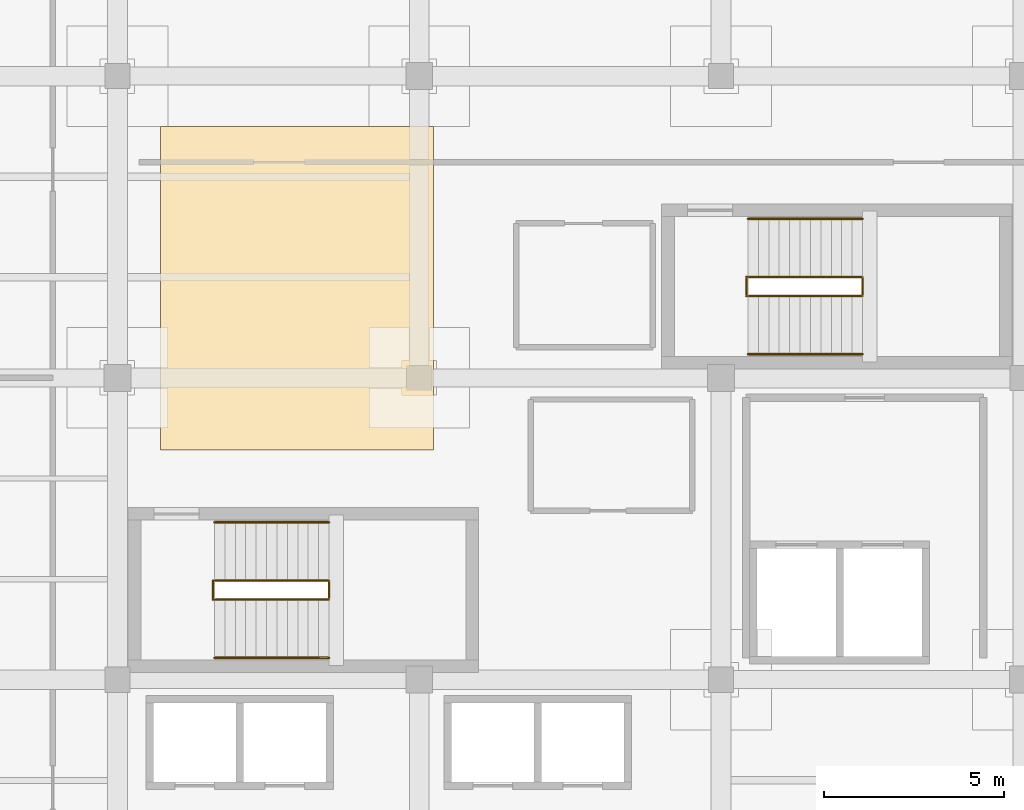
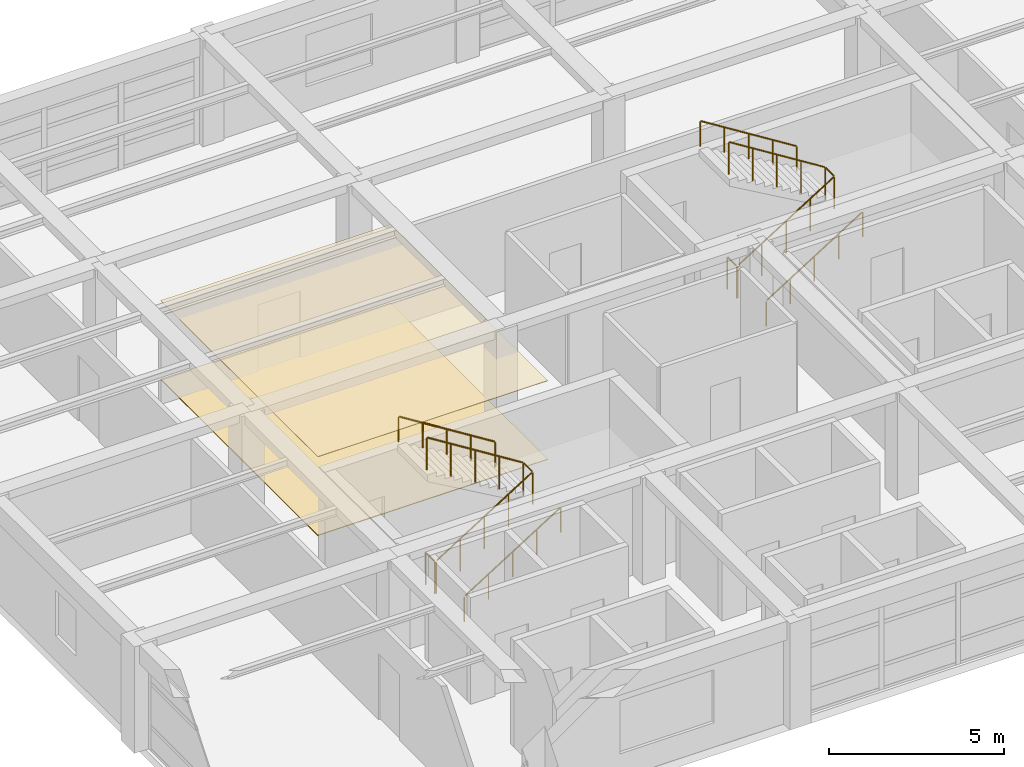
# One storey, part 26 of 26: 8 railings, 2 coverings.
"""IFC4 building model written with IfcOpenShell, lengths in metres."""

from ifc_helpers import new_model, si_unit, direction, frame, origin, origin_2d, place, context, subcontext, project, spatial, polyline, circle, outline, extrude, material, layer, layer_set, type_object, element, save


model = new_model("IFC4")

# Units and contexts
model_context = context("Model", 3, precision=1e-05, world=origin(), true_north=direction((0.0, 1.0)))
body_context = subcontext(model_context, "Body", "Model", "MODEL_VIEW")
ifc_project = project(units=[si_unit("LENGTHUNIT", "METRE"), si_unit("AREAUNIT", "SQUARE_METRE"), si_unit("VOLUMEUNIT", "CUBIC_METRE"), si_unit("PLANEANGLEUNIT", "RADIAN"), si_unit("MASSUNIT", "GRAM", prefix="KILO")], contexts=[model_context])

# Site, building, storey
site_placement = place(None, origin())
site = spatial("IfcSite", under=ifc_project, at=site_placement, CompositionType="ELEMENT")
building_placement = place(site_placement, origin())
building = spatial("IfcBuilding", under=site, at=building_placement, Name="Almacenes y Pasaje Nevantli", CompositionType="ELEMENT")
storey_placement = place(building_placement, frame((0.0, 0.0, 38.699951171875)))
storey = spatial("IfcBuildingStorey", under=building, at=storey_placement, Name="L09", CompositionType="ELEMENT", Elevation=38.699951171875)

# Coverings
ifc_material_1 = material(Name="Perforated Acoustic Mineral Fiber Ceiling", Category="gypsum")
ifc_layer_1 = layer(ifc_material_1, 0.02001953125)
ifc_layer_set_1 = layer_set([ifc_layer_1], Name="Perforated Acoustic Mineral Fiber Ceiling")
covering_type_1 = type_object("IfcCoveringType", Name="COV-CEIL-ACU", PredefinedType="CEILING", material=ifc_layer_set_1)
covering_1_placement = place(storey_placement, frame((0.0, 0.0, 2.75)))
element("IfcCovering", 1, at=covering_1_placement, inside=storey, type_object=covering_type_1, Name="L09 Suspended Acoustic Ceiling Panel", PredefinedType="CEILING", context=body_context, shape_type="SweptSolid", body=[
    extrude(outline(polyline([(118.800048828125, 82.0), (126.39990234375, 82.0), (126.39990234375, 91.0), (118.800048828125, 91.0), (118.800048828125, 82.0)])), origin(), (0.0, 0.0, 1.0), 0.02001953125),
])
ifc_material_2 = material(Name="Polished Toluca Stone Terrazzo Flooring", Category="masonry")
ifc_layer_2 = layer(ifc_material_2, 0.02490234375)
ifc_layer_set_2 = layer_set([ifc_layer_2], Name="Polished Toluca Stone Terrazzo Flooring")
covering_type_2 = type_object("IfcCoveringType", Name="COV-FLR-TERRAZZO", PredefinedType="FLOORING", material=ifc_layer_set_2)
covering_2_placement = place(storey_placement, origin())
element("IfcCovering", 2, at=covering_2_placement, inside=storey, type_object=covering_type_2, Name="L09 Polished Stone Terrazzo Floor Finish", PredefinedType="FLOORING", context=body_context, shape_type="SweptSolid", body=[
    extrude(outline(polyline([(118.800048828125, 82.0), (126.39990234375, 82.0), (126.39990234375, 91.0), (118.800048828125, 91.0), (118.800048828125, 82.0)])), origin(), (0.0, 0.0, 1.0), 0.025146484375),
])

# Railings
ifc_material_3 = material(Name="Brushed Stainless Steel and Tempered Safety Glass", Category="steel")
railing_type_1 = type_object("IfcRailingType", Name="RL-GUARD-1100", PredefinedType="BALUSTRADE", material=ifc_material_3)
railing_1_placement = place(storey_placement, frame((120.300048828125, 77.830078125, 0.0)))
element("IfcRailing", 3, at=railing_1_placement, inside=storey, type_object=railing_type_1, Name="L09 Stair ST-01 Inner Well Guard Balustrade", PredefinedType="BALUSTRADE", context=body_context, shape_type="SweptSolid", body=[
    extrude(circle(Radius=0.02392578125, at=origin_2d()), frame((0.025390625, 0.0, 1.141845703125), z_axis=(0.847247016309, 0.0, 0.531199108955), x_axis=(0.0, 1.0, 0.0)), (0.0, 0.0, 1.0), 3.705078125),
    extrude(circle(Radius=0.02392578125, at=origin_2d()), frame((3.18994140625, 0.030029296875, 3.1259765625), z_axis=(0.0, 1.0, 0.0), x_axis=(-1.0, 0.0, 0.0)), (0.0, 0.0, 1.0), 0.469970703125),
    extrude(circle(Radius=0.02392578125, at=origin_2d()), frame((3.16455078125, 0.530029296875, 3.141845703125), z_axis=(-0.847247016309, 0.0, 0.531199108955), x_axis=(0.0, -1.0, 0.0)), (0.0, 0.0, 1.0), 3.705078125),
    extrude(circle(Radius=0.02099609375, at=origin_2d()), origin(), (0.0, 0.0, 1.0), 1.096923828125),
    extrude(circle(Radius=0.02099609375, at=origin_2d()), frame((0.79736328125, 0.0, 0.5)), (0.0, 0.0, 1.0), 1.096923828125),
    extrude(circle(Radius=0.02099609375, at=origin_2d()), frame((1.594970703125, 0.0, 1.0)), (0.0, 0.0, 1.0), 1.096923828125),
    extrude(circle(Radius=0.02099609375, at=origin_2d()), frame((2.392578125, 0.0, 1.5)), (0.0, 0.0, 1.0), 1.096923828125),
    extrude(circle(Radius=0.02099609375, at=origin_2d()), frame((3.18994140625, 0.0, 2.0)), (0.0, 0.0, 1.0), 1.096923828125),
    extrude(circle(Radius=0.02099609375, at=origin_2d()), frame((3.18994140625, 0.530029296875, 2.0)), (0.0, 0.0, 1.0), 1.096923828125),
    extrude(circle(Radius=0.02099609375, at=origin_2d()), frame((2.392578125, 0.530029296875, 2.5)), (0.0, 0.0, 1.0), 1.096923828125),
    extrude(circle(Radius=0.02099609375, at=origin_2d()), frame((1.594970703125, 0.530029296875, 3.0)), (0.0, 0.0, 1.0), 1.096923828125),
    extrude(circle(Radius=0.02099609375, at=origin_2d()), frame((0.79736328125, 0.530029296875, 3.5)), (0.0, 0.0, 1.0), 1.096923828125),
    extrude(circle(Radius=0.02099609375, at=origin_2d()), frame((0.0, 0.530029296875, 4.0)), (0.0, 0.0, 1.0), 1.096923828125),
])
railing_2_placement = place(storey_placement, frame((120.260009765625, 77.830078125, 0.0)))
element("IfcRailing", 4, at=railing_2_placement, inside=storey, type_object=railing_type_1, Name="L09 Stair ST-01 Landing Well Slot Guard", PredefinedType="BALUSTRADE", context=body_context, shape_type="SweptSolid", body=[
    extrude(circle(Radius=0.02392578125, at=origin_2d()), frame((0.0, 0.030029296875, 1.1259765625), z_axis=(0.0, 1.0, 0.0), x_axis=(-1.0, 0.0, 0.0)), (0.0, 0.0, 1.0), 0.469970703125),
    extrude(circle(Radius=0.02099609375, at=origin_2d()), origin(), (0.0, 0.0, 1.0), 1.096923828125),
    extrude(circle(Radius=0.02099609375, at=origin_2d()), frame((0.0, 0.530029296875, 0.0)), (0.0, 0.0, 1.0), 1.096923828125),
])
railing_3_placement = place(storey_placement, frame((135.14990234375, 86.280029296875, 0.0)))
element("IfcRailing", 5, at=railing_3_placement, inside=storey, type_object=railing_type_1, Name="L09 Stair ST-02 Inner Well Guard Balustrade", PredefinedType="BALUSTRADE", context=body_context, shape_type="SweptSolid", body=[
    extrude(circle(Radius=0.02392578125, at=origin_2d()), frame((0.025390625, 0.0, 1.141845703125), z_axis=(0.847265311894, 0.0, 0.531169926918), x_axis=(0.0, 1.0, 0.0)), (0.0, 0.0, 1.0), 3.705322265625),
    extrude(circle(Radius=0.02392578125, at=origin_2d()), frame((3.190185546875, 0.030029296875, 3.1259765625), z_axis=(0.0, 1.0, 0.0), x_axis=(-1.0, 0.0, 0.0)), (0.0, 0.0, 1.0), 0.469970703125),
    extrude(circle(Radius=0.02392578125, at=origin_2d()), frame((3.164794921875, 0.530029296875, 3.141845703125), z_axis=(-0.847265311894, 0.0, 0.531169926918), x_axis=(0.0, -1.0, 0.0)), (0.0, 0.0, 1.0), 3.705322265625),
    extrude(circle(Radius=0.02099609375, at=origin_2d()), origin(), (0.0, 0.0, 1.0), 1.096923828125),
    extrude(circle(Radius=0.02099609375, at=origin_2d()), frame((0.797607421875, 0.0, 0.5)), (0.0, 0.0, 1.0), 1.096923828125),
    extrude(circle(Radius=0.02099609375, at=origin_2d()), frame((1.59521484375, 0.0, 1.0)), (0.0, 0.0, 1.0), 1.096923828125),
    extrude(circle(Radius=0.02099609375, at=origin_2d()), frame((2.392578125, 0.0, 1.5)), (0.0, 0.0, 1.0), 1.096923828125),
    extrude(circle(Radius=0.02099609375, at=origin_2d()), frame((3.190185546875, 0.0, 2.0)), (0.0, 0.0, 1.0), 1.096923828125),
    extrude(circle(Radius=0.02099609375, at=origin_2d()), frame((3.190185546875, 0.530029296875, 2.0)), (0.0, 0.0, 1.0), 1.096923828125),
    extrude(circle(Radius=0.02099609375, at=origin_2d()), frame((2.392578125, 0.530029296875, 2.5)), (0.0, 0.0, 1.0), 1.096923828125),
    extrude(circle(Radius=0.02099609375, at=origin_2d()), frame((1.59521484375, 0.530029296875, 3.0)), (0.0, 0.0, 1.0), 1.096923828125),
    extrude(circle(Radius=0.02099609375, at=origin_2d()), frame((0.797607421875, 0.530029296875, 3.5)), (0.0, 0.0, 1.0), 1.096923828125),
    extrude(circle(Radius=0.02099609375, at=origin_2d()), frame((0.0, 0.530029296875, 4.0)), (0.0, 0.0, 1.0), 1.096923828125),
])
railing_4_placement = place(storey_placement, frame((135.110107421875, 86.280029296875, 0.0)))
element("IfcRailing", 6, at=railing_4_placement, inside=storey, type_object=railing_type_1, Name="L09 Stair ST-02 Landing Well Slot Guard", PredefinedType="BALUSTRADE", context=body_context, shape_type="SweptSolid", body=[
    extrude(circle(Radius=0.02392578125, at=origin_2d()), frame((0.0, 0.030029296875, 1.1259765625), z_axis=(0.0, 1.0, 0.0), x_axis=(-1.0, 0.0, 0.0)), (0.0, 0.0, 1.0), 0.469970703125),
    extrude(circle(Radius=0.02099609375, at=origin_2d()), origin(), (0.0, 0.0, 1.0), 1.096923828125),
    extrude(circle(Radius=0.02099609375, at=origin_2d()), frame((0.0, 0.530029296875, 0.0)), (0.0, 0.0, 1.0), 1.096923828125),
])
ifc_material_4 = material(Name="Brushed Stainless Steel Tube", Category="steel")
railing_type_2 = type_object("IfcRailingType", Name="RL-HANDRAIL-900", PredefinedType="HANDRAIL", material=ifc_material_4)
railing_5_placement = place(storey_placement, frame((120.300048828125, 76.2099609375, 0.0)))
element("IfcRailing", 7, at=railing_5_placement, inside=storey, type_object=railing_type_2, Name="L09 Stair ST-01 Lower Flight Handrail", PredefinedType="HANDRAIL", context=body_context, shape_type="SweptSolid", body=[
    extrude(circle(Radius=0.02392578125, at=origin_2d()), frame((0.025390625, 0.0, 0.891845703125), z_axis=(0.847247016309, 0.0, 0.531199108955), x_axis=(0.0, 1.0, 0.0)), (0.0, 0.0, 1.0), 3.705078125),
    extrude(circle(Radius=0.02099609375, at=origin_2d()), origin(), (0.0, 0.0, 1.0), 0.846923828125),
    extrude(circle(Radius=0.02099609375, at=origin_2d()), frame((0.79736328125, 0.0, 0.5)), (0.0, 0.0, 1.0), 0.846923828125),
    extrude(circle(Radius=0.02099609375, at=origin_2d()), frame((1.594970703125, 0.0, 1.0)), (0.0, 0.0, 1.0), 0.846923828125),
    extrude(circle(Radius=0.02099609375, at=origin_2d()), frame((2.392578125, 0.0, 1.5)), (0.0, 0.0, 1.0), 0.846923828125),
    extrude(circle(Radius=0.02099609375, at=origin_2d()), frame((3.18994140625, 0.0, 2.0)), (0.0, 0.0, 1.0), 0.846923828125),
])
railing_6_placement = place(storey_placement, frame((123.489990234375, 79.97998046875, 2.0)))
element("IfcRailing", 8, at=railing_6_placement, inside=storey, type_object=railing_type_2, Name="L09 Stair ST-01 Upper Flight Handrail", PredefinedType="HANDRAIL", context=body_context, shape_type="SweptSolid", body=[
    extrude(circle(Radius=0.02392578125, at=origin_2d()), frame((-0.025390625, 0.0, 0.891845703125), z_axis=(-0.847247016309, 0.0, 0.531199108955), x_axis=(0.0, -1.0, 0.0)), (0.0, 0.0, 1.0), 3.705078125),
    extrude(circle(Radius=0.02099609375, at=origin_2d()), origin(), (0.0, 0.0, 1.0), 0.846923828125),
    extrude(circle(Radius=0.02099609375, at=origin_2d()), frame((-0.79736328125, 0.0, 0.5)), (0.0, 0.0, 1.0), 0.846923828125),
    extrude(circle(Radius=0.02099609375, at=origin_2d()), frame((-1.594970703125, 0.0, 1.0)), (0.0, 0.0, 1.0), 0.846923828125),
    extrude(circle(Radius=0.02099609375, at=origin_2d()), frame((-2.392578125, 0.0, 1.5)), (0.0, 0.0, 1.0), 0.846923828125),
    extrude(circle(Radius=0.02099609375, at=origin_2d()), frame((-3.18994140625, 0.0, 2.0)), (0.0, 0.0, 1.0), 0.846923828125),
])
railing_7_placement = place(storey_placement, frame((135.14990234375, 84.659912109375, 0.0)))
element("IfcRailing", 9, at=railing_7_placement, inside=storey, type_object=railing_type_2, Name="L09 Stair ST-02 Lower Flight Handrail", PredefinedType="HANDRAIL", context=body_context, shape_type="SweptSolid", body=[
    extrude(circle(Radius=0.02392578125, at=origin_2d()), frame((0.025390625, 0.0, 0.891845703125), z_axis=(0.847265311894, 0.0, 0.531169926918), x_axis=(0.0, 1.0, 0.0)), (0.0, 0.0, 1.0), 3.705322265625),
    extrude(circle(Radius=0.02099609375, at=origin_2d()), origin(), (0.0, 0.0, 1.0), 0.846923828125),
    extrude(circle(Radius=0.02099609375, at=origin_2d()), frame((0.797607421875, 0.0, 0.5)), (0.0, 0.0, 1.0), 0.846923828125),
    extrude(circle(Radius=0.02099609375, at=origin_2d()), frame((1.59521484375, 0.0, 1.0)), (0.0, 0.0, 1.0), 0.846923828125),
    extrude(circle(Radius=0.02099609375, at=origin_2d()), frame((2.392578125, 0.0, 1.5)), (0.0, 0.0, 1.0), 0.846923828125),
    extrude(circle(Radius=0.02099609375, at=origin_2d()), frame((3.190185546875, 0.0, 2.0)), (0.0, 0.0, 1.0), 0.846923828125),
])
railing_8_placement = place(storey_placement, frame((138.340087890625, 88.429931640625, 2.0)))
element("IfcRailing", 10, at=railing_8_placement, inside=storey, type_object=railing_type_2, Name="L09 Stair ST-02 Upper Flight Handrail", PredefinedType="HANDRAIL", context=body_context, shape_type="SweptSolid", body=[
    extrude(circle(Radius=0.02392578125, at=origin_2d()), frame((-0.025390625, 0.0, 0.891845703125), z_axis=(-0.847265311894, 0.0, 0.531169926918), x_axis=(0.0, -1.0, 0.0)), (0.0, 0.0, 1.0), 3.705322265625),
    extrude(circle(Radius=0.02099609375, at=origin_2d()), origin(), (0.0, 0.0, 1.0), 0.846923828125),
    extrude(circle(Radius=0.02099609375, at=origin_2d()), frame((-0.797607421875, 0.0, 0.5)), (0.0, 0.0, 1.0), 0.846923828125),
    extrude(circle(Radius=0.02099609375, at=origin_2d()), frame((-1.59521484375, 0.0, 1.0)), (0.0, 0.0, 1.0), 0.846923828125),
    extrude(circle(Radius=0.02099609375, at=origin_2d()), frame((-2.392578125, 0.0, 1.5)), (0.0, 0.0, 1.0), 0.846923828125),
    extrude(circle(Radius=0.02099609375, at=origin_2d()), frame((-3.190185546875, 0.0, 2.0)), (0.0, 0.0, 1.0), 0.846923828125),
])

save(model, "model.ifc")
